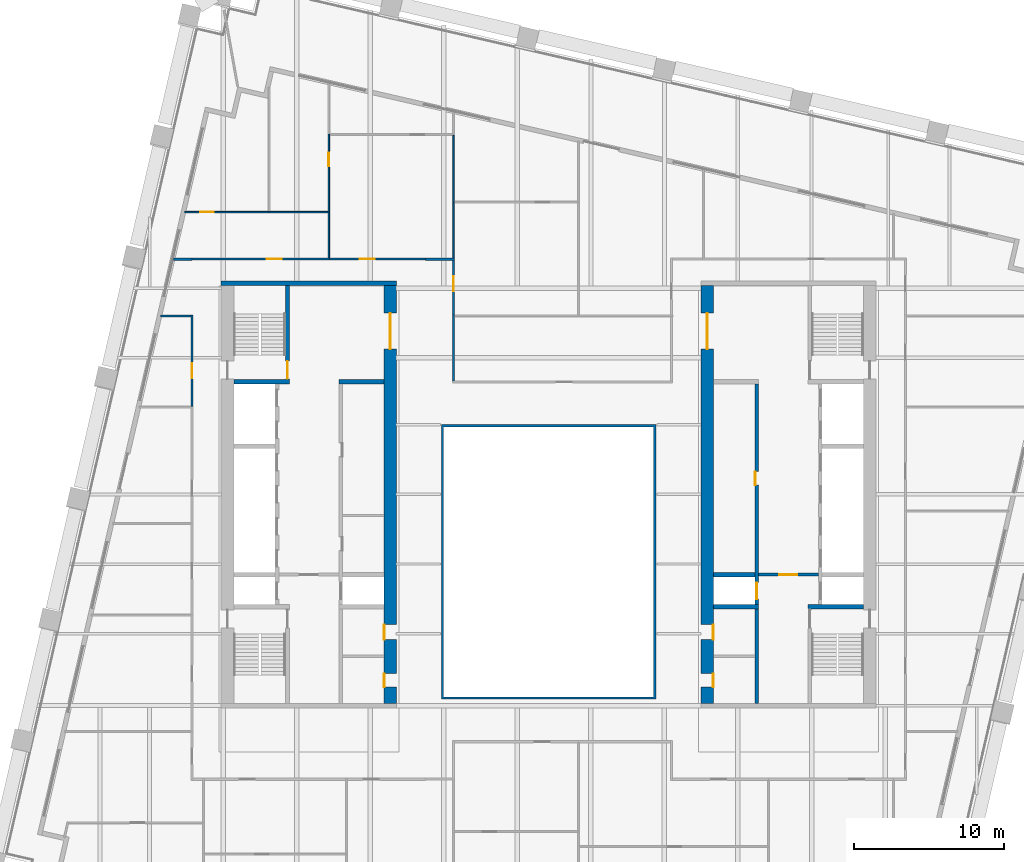
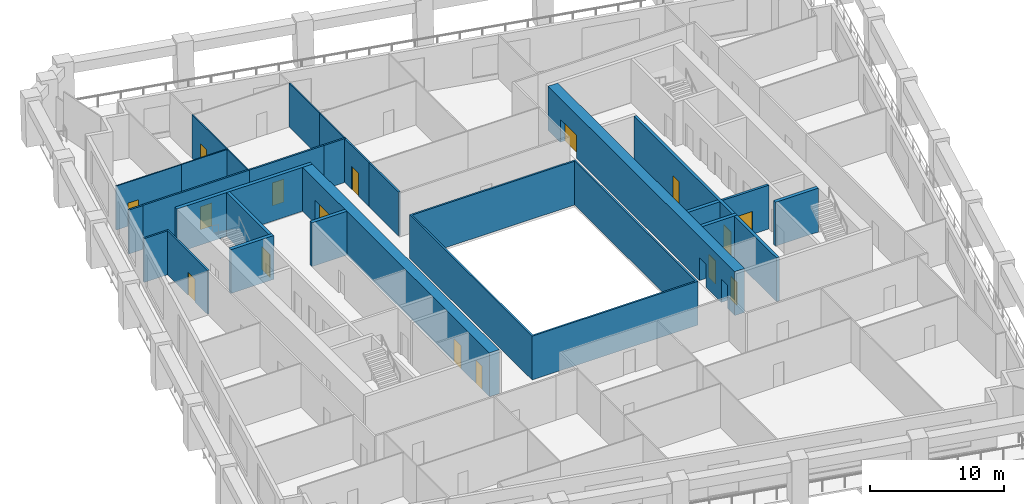
# One storey, part 7 of 11: 26 walls, 16 doors, 16 openings.
"""IFC4 building model written with IfcOpenShell, lengths in metres."""

from ifc_helpers import new_model, si_unit, direction, frame, frame_2d, origin, place, context, subcontext, project, spatial, polyline, rectangle, outline, extrude, material, layer, layer_set, type_object, element, fill, save


model = new_model("IFC4")

# Units and contexts
model_context = context("Model", 3, precision=1e-05, world=origin(), true_north=direction((0.0, 1.0)))
body_context = subcontext(model_context, "Body", "Model", "MODEL_VIEW")
ifc_project = project(units=[si_unit("LENGTHUNIT", "METRE"), si_unit("AREAUNIT", "SQUARE_METRE"), si_unit("VOLUMEUNIT", "CUBIC_METRE"), si_unit("PLANEANGLEUNIT", "RADIAN"), si_unit("MASSUNIT", "GRAM", prefix="KILO")], contexts=[model_context])

# Site, building, storey
site_placement = place(None, origin())
site = spatial("IfcSite", under=ifc_project, at=site_placement, CompositionType="ELEMENT")
building_placement = place(site_placement, origin())
building = spatial("IfcBuilding", under=site, at=building_placement, Name="Ogive Exchange Tower", CompositionType="ELEMENT")
storey_placement = place(building_placement, frame((0.0, 0.0, 135.0)))
storey = spatial("IfcBuildingStorey", under=building, at=storey_placement, Name="L29", CompositionType="ELEMENT", Elevation=135.0)

# Walls
ifc_material_1 = material(Name="Gypsum board partition")
ifc_layer_1 = layer(ifc_material_1, 0.300048828125)
ifc_layer_set_1 = layer_set([ifc_layer_1], Name="Core room partition 300 gypsum")
wall_type_1 = type_object("IfcWallType", Name="Core room partition 300 gypsum", PredefinedType="PARTITIONING", material=ifc_layer_set_1)
wall_1_placement = place(storey_placement, frame((-14.0, 19.0, 0.0), z_axis=(0.0, 0.0, 1.0), x_axis=(1.0, 0.0, 0.0)))
element("IfcWall", 1, at=wall_1_placement, inside=storey, type_object=wall_type_1, Name="W row B room end wall 7", PredefinedType="PARTITIONING", context=body_context, shape_type="SweptSolid", body=[
    extrude(rectangle(XDim=3.0, YDim=0.300048828125, at=frame_2d((1.5, 0.0))), origin(), (0.0, 0.0, 1.0), 4.0),
])
ifc_material_2 = material(Name="Fire partition EI 60 150")
ifc_layer_2 = layer(ifc_material_2, 0.14990234375)
ifc_layer_set_2 = layer_set([ifc_layer_2], Name="Fire partition EI 60 150")
wall_type_2 = type_object("IfcWallType", Name="Fire partition EI 60 150", PredefinedType="PARTITIONING", material=ifc_layer_set_2)
wall_2_placement = place(storey_placement, frame((-25.01708984375, 27.18994140625, 0.0), z_axis=(0.0, 0.0, 1.0), x_axis=(1.0, 0.0, 0.0)))
element("IfcWall", 2, at=wall_2_placement, inside=storey, type_object=wall_type_2, Name="L29-PWL-002", PredefinedType="PARTITIONING", context=body_context, shape_type="SweptSolid", body=[
    extrude(rectangle(XDim=1.217041015625, YDim=0.14990234375, at=frame_2d((0.6083984375, 0.0))), origin(), (0.0, 0.0, 1.0), 4.0),
])

# Wall, opening, door
wall_3_placement = place(storey_placement, frame((-23.800048828125, 17.3701171875, 0.0), z_axis=(0.0, 0.0, 1.0), x_axis=(0.0, 1.0, 0.0)))
wall_3 = element("IfcWall", 3, at=wall_3_placement, inside=storey, type_object=wall_type_2, Name="L29-PWL-011", PredefinedType="PARTITIONING", context=body_context, shape_type="SweptSolid", body=[
    extrude(rectangle(XDim=6.114990234375, YDim=0.14990234375, at=frame_2d((3.0576171875, 0.0))), origin(), (0.0, 0.0, 1.0), 4.0),
])
opening_1_placement = place(wall_3_placement, frame((1.889892578125, 0.0, 0.0)))
opening_1 = element("IfcOpeningElement", 4, at=opening_1_placement, cuts=wall_3, Name="Opening L29-I23", PredefinedType="OPENING", context=body_context, shape_type="SweptSolid", body=[
    extrude(rectangle(XDim=1.0, YDim=2.10009765625, at=frame_2d((0.5, 1.050048828125))), frame((0.0, 0.0849609375, 0.0), z_axis=(0.0, -1.0, 0.0), x_axis=(1.0, 0.0, 0.0)), (0.0, 0.0, 1.0), 0.169921875),
])
ifc_material_3 = material(Name="Fire door FD 30S 1000 x 2100")
door_type_1 = type_object("IfcDoorType", Name="Fire door FD 30S 1000 x 2100", OperationType="NOTDEFINED", PredefinedType="DOOR", material=ifc_material_3)
door_1_placement = place(opening_1_placement, origin())
door_1 = element("IfcDoor", 5, at=door_1_placement, inside=storey, type_object=door_type_1, Name="L29-IDR-023", ObjectType="DT3", OperationType="SINGLE_SWING_RIGHT", OverallHeight=2.10009765625, OverallWidth=1.0, PredefinedType="DOOR", context=body_context, shape_type="SweptSolid", body=[
    extrude(rectangle(XDim=1.0, YDim=2.10009765625, at=frame_2d((0.5, 1.050048828125))), frame((0.0, 0.02490234375, 0.0), z_axis=(0.0, -1.0, 0.0), x_axis=(1.0, 0.0, 0.0)), (0.0, 0.0, 1.0), 0.050048828125),
])
fill(opening_1, door_1)

# Wall
wall_4_placement = place(storey_placement, frame((-23.875, 23.409912109375, 0.0), z_axis=(0.0, 0.0, 1.0), x_axis=(-1.0, 0.0, 0.0)))
element("IfcWall", 6, at=wall_4_placement, inside=storey, type_object=wall_type_2, Name="L29-PWL-012", PredefinedType="PARTITIONING", context=body_context, shape_type="SweptSolid", body=[
    extrude(rectangle(XDim=2.014892578125, YDim=0.14990234375, at=frame_2d((1.00732421875, 0.0))), origin(), (0.0, 0.0, 1.0), 4.0),
])

# Wall, opening, door
wall_5_placement = place(storey_placement, frame((-23.800048828125, 27.199951171875, 0.0), z_axis=(0.0, 0.0, 1.0), x_axis=(1.0, 0.0, 0.0)))
wall_5 = element("IfcWall", 7, at=wall_5_placement, inside=storey, type_object=wall_type_2, Name="L29-PWL-013", PredefinedType="PARTITIONING", context=body_context, shape_type="SweptSolid", body=[
    extrude(rectangle(XDim=9.179931640625, YDim=0.14990234375, at=frame_2d((4.58984375, 0.0))), origin(), (0.0, 0.0, 1.0), 4.0),
])
opening_2_placement = place(wall_5_placement, frame((4.97998046875, 0.0, 0.0)))
opening_2 = element("IfcOpeningElement", 8, at=opening_2_placement, cuts=wall_5, Name="Opening L29-I22", PredefinedType="OPENING", context=body_context, shape_type="SweptSolid", body=[
    extrude(rectangle(XDim=1.0, YDim=2.10009765625, at=frame_2d((0.5, 1.050048828125))), frame((0.0, 0.0849609375, 0.0), z_axis=(0.0, -1.0, 0.0), x_axis=(1.0, 0.0, 0.0)), (0.0, 0.0, 1.0), 0.169921875),
])
door_2_placement = place(opening_2_placement, origin())
door_2 = element("IfcDoor", 9, at=door_2_placement, inside=storey, type_object=door_type_1, Name="L29-IDR-022", ObjectType="DT3", OperationType="SINGLE_SWING_LEFT", OverallHeight=2.10009765625, OverallWidth=1.0, PredefinedType="DOOR", context=body_context, shape_type="SweptSolid", body=[
    extrude(rectangle(XDim=1.0, YDim=2.10009765625, at=frame_2d((0.5, 1.050048828125))), frame((0.0, 0.02490234375, 0.0), z_axis=(0.0, -1.0, 0.0), x_axis=(1.0, 0.0, 0.0)), (0.0, 0.0, 1.0), 0.050048828125),
])
fill(opening_2, door_2)

wall_6_placement = place(storey_placement, frame((-14.6201171875, 27.199951171875, 0.0), z_axis=(0.0, 0.0, 1.0), x_axis=(1.0, 0.0, 0.0)))
wall_6 = element("IfcWall", 10, at=wall_6_placement, inside=storey, type_object=wall_type_2, Name="L29-PWL-026", PredefinedType="PARTITIONING", context=body_context, shape_type="SweptSolid", body=[
    extrude(rectangle(XDim=6.420166015625, YDim=0.14990234375, at=frame_2d((3.2099609375, 0.0))), origin(), (0.0, 0.0, 1.0), 4.0),
])
opening_3_placement = place(wall_6_placement, frame((2.02001953125, 0.0, 0.0)))
opening_3 = element("IfcOpeningElement", 11, at=opening_3_placement, cuts=wall_6, Name="Opening L29-I18", PredefinedType="OPENING", context=body_context, shape_type="SweptSolid", body=[
    extrude(rectangle(XDim=1.0, YDim=2.10009765625, at=frame_2d((0.5, 1.050048828125))), frame((0.0, 0.0849609375, 0.0), z_axis=(0.0, -1.0, 0.0), x_axis=(1.0, 0.0, 0.0)), (0.0, 0.0, 1.0), 0.169921875),
])
door_3_placement = place(opening_3_placement, origin())
door_3 = element("IfcDoor", 12, at=door_3_placement, inside=storey, type_object=door_type_1, Name="L29-IDR-018", ObjectType="DT3", OperationType="SINGLE_SWING_RIGHT", OverallHeight=2.10009765625, OverallWidth=1.0, PredefinedType="DOOR", context=body_context, shape_type="SweptSolid", body=[
    extrude(rectangle(XDim=1.0, YDim=2.10009765625, at=frame_2d((0.5, 1.050048828125))), frame((0.0, 0.02490234375, 0.0), z_axis=(0.0, -1.0, 0.0), x_axis=(1.0, 0.0, 0.0)), (0.0, 0.0, 1.0), 0.050048828125),
])
fill(opening_3, door_3)

# Walls
wall_7_placement = place(storey_placement, frame((-8.199951171875, 27.18994140625, 0.0), z_axis=(0.0, 0.0, 1.0), x_axis=(1.0, 0.0, 0.0)))
element("IfcWall", 13, at=wall_7_placement, inside=storey, type_object=wall_type_2, Name="L29-PWL-036", PredefinedType="PARTITIONING", context=body_context, shape_type="SweptSolid", body=[
    extrude(rectangle(XDim=1.93505859375, YDim=0.14990234375, at=frame_2d((0.967529296875, 0.0))), origin(), (0.0, 0.0, 1.0), 4.0),
])
wall_8_placement = place(storey_placement, frame((-6.340087890625, 23.4599609375, 0.0), z_axis=(0.0, 0.0, 1.0), x_axis=(0.0, -1.0, 0.0)))
element("IfcWall", 14, at=wall_8_placement, inside=storey, type_object=wall_type_2, Name="L29-PWL-044", PredefinedType="PARTITIONING", context=body_context, shape_type="SweptSolid", body=[
    extrude(rectangle(XDim=4.385009765625, YDim=0.14990234375, at=frame_2d((2.1923828125, 0.0))), origin(), (0.0, 0.0, 1.0), 4.0),
])

# Wall, opening, door
wall_9_placement = place(storey_placement, frame((-6.340087890625, 27.114990234375, 0.0), z_axis=(0.0, 0.0, 1.0), x_axis=(0.0, -1.0, 0.0)))
wall_9 = element("IfcWall", 15, at=wall_9_placement, inside=storey, type_object=wall_type_2, Name="L29-PWL-046", PredefinedType="PARTITIONING", context=body_context, shape_type="SweptSolid", body=[
    extrude(rectangle(XDim=3.655029296875, YDim=0.14990234375, at=frame_2d((1.82763671875, 0.0))), origin(), (0.0, 0.0, 1.0), 4.0),
])
opening_4_placement = place(wall_9_placement, frame((1.054931640625, 0.0, 0.0)))
opening_4 = element("IfcOpeningElement", 16, at=opening_4_placement, cuts=wall_9, Name="Opening L29-I14", PredefinedType="OPENING", context=body_context, shape_type="SweptSolid", body=[
    extrude(rectangle(XDim=1.0, YDim=2.10009765625, at=frame_2d((0.5, 1.050048828125))), frame((0.0, 0.0849609375, 0.0), z_axis=(0.0, -1.0, 0.0), x_axis=(1.0, 0.0, 0.0)), (0.0, 0.0, 1.0), 0.169921875),
])
door_4_placement = place(opening_4_placement, origin())
door_4 = element("IfcDoor", 17, at=door_4_placement, inside=storey, type_object=door_type_1, Name="L29-IDR-014", ObjectType="DT3", OperationType="SINGLE_SWING_LEFT", OverallHeight=2.10009765625, OverallWidth=1.0, PredefinedType="DOOR", context=body_context, shape_type="SweptSolid", body=[
    extrude(rectangle(XDim=1.0, YDim=2.10009765625, at=frame_2d((0.5, 1.050048828125))), frame((0.0, 0.02490234375, 0.0), z_axis=(0.0, -1.0, 0.0), x_axis=(1.0, 0.0, 0.0)), (0.0, 0.0, 1.0), 0.050048828125),
])
fill(opening_4, door_4)

# Wall
ifc_material_4 = material(Name="Fire-resisting glass in steel frame", Category="steel")
ifc_layer_3 = layer(ifc_material_4, 0.14990234375)
ifc_layer_set_3 = layer_set([ifc_layer_3], Name="Fire-rated glazed wall 150")
wall_type_3 = type_object("IfcWallType", Name="Fire-rated glazed wall 150", PredefinedType="STANDARD", material=ifc_layer_set_3)
wall_10_placement = place(storey_placement, origin())
element("IfcWall", 18, at=wall_10_placement, inside=storey, type_object=wall_type_3, Name="Nave enclosure wall", PredefinedType="STANDARD", context=body_context, shape_type="SweptSolid", body=[
    extrude(outline(polyline([(-7.14990234375, -2.14990234375), (7.14990234375, -2.14990234375), (7.14990234375, 16.14990234375), (-7.14990234375, 16.14990234375), (-7.14990234375, -2.14990234375)]), holes=[polyline([(-7.0, -2.0), (-7.0, 16.0), (7.0, 16.0), (7.0, -2.0), (-7.0, -2.0)])]), origin(), (0.0, 0.0, 1.0), 4.0),
])

# Wall, opening, door
ifc_material_5 = material(Name="Partition 100 gypsum")
ifc_layer_4 = layer(ifc_material_5, 0.10009765625)
ifc_layer_set_4 = layer_set([ifc_layer_4], Name="Partition 100 gypsum")
wall_type_4 = type_object("IfcWallType", Name="Partition 100 gypsum", PredefinedType="PARTITIONING", material=ifc_layer_set_4)
wall_11_placement = place(storey_placement, frame((-18.60009765625, 30.340087890625, 0.0), z_axis=(0.0, 0.0, 1.0), x_axis=(-1.0, 0.0, 0.0)))
wall_11 = element("IfcWall", 19, at=wall_11_placement, inside=storey, type_object=wall_type_4, Name="L29-PWL-023", PredefinedType="PARTITIONING", context=body_context, shape_type="SweptSolid", body=[
    extrude(rectangle(XDim=5.68994140625, YDim=0.10009765625, at=frame_2d((2.844970703125, 0.0))), origin(), (0.0, 0.0, 1.0), 4.0),
])
opening_5_placement = place(wall_11_placement, frame((3.75, 0.0, 0.0)))
opening_5 = element("IfcOpeningElement", 20, at=opening_5_placement, cuts=wall_11, Name="Opening L29-I21", PredefinedType="OPENING", context=body_context, shape_type="SweptSolid", body=[
    extrude(rectangle(XDim=0.89990234375, YDim=2.10009765625, at=frame_2d((0.449951171875, 1.050048828125))), frame((0.0, 0.06005859375, 0.0), z_axis=(0.0, -1.0, 0.0), x_axis=(1.0, 0.0, 0.0)), (0.0, 0.0, 1.0), 0.1201171875),
])
ifc_material_6 = material(Name="Door 900 x 2100")
door_type_2 = type_object("IfcDoorType", Name="Door 900 x 2100", OperationType="NOTDEFINED", PredefinedType="DOOR", material=ifc_material_6)
door_5_placement = place(opening_5_placement, origin())
door_5 = element("IfcDoor", 21, at=door_5_placement, inside=storey, type_object=door_type_2, Name="L29-IDR-021", ObjectType="DT1", OperationType="SINGLE_SWING_LEFT", OverallHeight=2.10009765625, OverallWidth=0.89990234375, PredefinedType="DOOR", context=body_context, shape_type="SweptSolid", body=[
    extrude(rectangle(XDim=0.89990234375, YDim=2.10009765625, at=frame_2d((0.449951171875, 1.050048828125))), frame((0.0, 0.02490234375, 0.0), z_axis=(0.0, -1.0, 0.0), x_axis=(1.0, 0.0, 0.0)), (0.0, 0.0, 1.0), 0.050048828125),
])
fill(opening_5, door_5)

# Walls
wall_12_placement = place(storey_placement, frame((-14.669921875, 27.27490234375, 0.0), z_axis=(0.0, 0.0, 1.0), x_axis=(0.0, 1.0, 0.0)))
element("IfcWall", 22, at=wall_12_placement, inside=storey, type_object=wall_type_4, Name="L29-PWL-025", PredefinedType="PARTITIONING", context=body_context, shape_type="SweptSolid", body=[
    extrude(rectangle(XDim=3.065185546875, YDim=0.10009765625, at=frame_2d((1.53271484375, 0.0))), origin(), (0.0, 0.0, 1.0), 4.0),
])
wall_13_placement = place(storey_placement, frame((-14.719970703125, 30.340087890625, 0.0), z_axis=(0.0, 0.0, 1.0), x_axis=(-1.0, 0.0, 0.0)))
element("IfcWall", 23, at=wall_13_placement, inside=storey, type_object=wall_type_4, Name="L29-PWL-027", PredefinedType="PARTITIONING", context=body_context, shape_type="SweptSolid", body=[
    extrude(rectangle(XDim=3.929931640625, YDim=0.10009765625, at=frame_2d((1.96484375, 0.0))), origin(), (0.0, 0.0, 1.0), 4.0),
])

# Wall, opening, door
wall_14_placement = place(storey_placement, frame((-14.669921875, 30.340087890625, 0.0), z_axis=(0.0, 0.0, 1.0), x_axis=(0.0, 1.0, 0.0)))
wall_14 = element("IfcWall", 24, at=wall_14_placement, inside=storey, type_object=wall_type_4, Name="L29-PWL-028", PredefinedType="PARTITIONING", context=body_context, shape_type="SweptSolid", body=[
    extrude(rectangle(XDim=5.2099609375, YDim=0.10009765625, at=frame_2d((2.60498046875, 0.0))), origin(), (0.0, 0.0, 1.0), 4.0),
])
opening_6_placement = place(wall_14_placement, frame((3.06005859375, 0.0, 0.0)))
opening_6 = element("IfcOpeningElement", 25, at=opening_6_placement, cuts=wall_14, Name="Opening L29-I20", PredefinedType="OPENING", context=body_context, shape_type="SweptSolid", body=[
    extrude(rectangle(XDim=0.89990234375, YDim=2.10009765625, at=frame_2d((0.449951171875, 1.050048828125))), frame((0.0, 0.06005859375, 0.0), z_axis=(0.0, -1.0, 0.0), x_axis=(1.0, 0.0, 0.0)), (0.0, 0.0, 1.0), 0.1201171875),
])
door_6_placement = place(opening_6_placement, origin())
door_6 = element("IfcDoor", 26, at=door_6_placement, inside=storey, type_object=door_type_2, Name="L29-IDR-020", ObjectType="DT1", OperationType="SINGLE_SWING_RIGHT", OverallHeight=2.10009765625, OverallWidth=0.89990234375, PredefinedType="DOOR", context=body_context, shape_type="SweptSolid", body=[
    extrude(rectangle(XDim=0.89990234375, YDim=2.10009765625, at=frame_2d((0.449951171875, 1.050048828125))), frame((0.0, 0.02490234375, 0.0), z_axis=(0.0, -1.0, 0.0), x_axis=(1.0, 0.0, 0.0)), (0.0, 0.0, 1.0), 0.050048828125),
])
fill(opening_6, door_6)

# Walls
wall_15_placement = place(storey_placement, frame((-6.340087890625, 27.264892578125, 0.0), z_axis=(0.0, 0.0, 1.0), x_axis=(0.0, 1.0, 0.0)))
element("IfcWall", 27, at=wall_15_placement, inside=storey, type_object=wall_type_4, Name="L29-PWL-047", PredefinedType="PARTITIONING", context=body_context, shape_type="SweptSolid", body=[
    extrude(rectangle(XDim=3.68505859375, YDim=0.10009765625, at=frame_2d((1.842529296875, 0.0))), origin(), (0.0, 0.0, 1.0), 4.0),
])
wall_16_placement = place(storey_placement, frame((-6.340087890625, 30.949951171875, 0.0), z_axis=(0.0, 0.0, 1.0), x_axis=(0.0, 1.0, 0.0)))
element("IfcWall", 28, at=wall_16_placement, inside=storey, type_object=wall_type_4, Name="L29-PWL-048", PredefinedType="PARTITIONING", context=body_context, shape_type="SweptSolid", body=[
    extrude(rectangle(XDim=4.5, YDim=0.10009765625, at=frame_2d((2.25, 0.0))), origin(), (0.0, 0.0, 1.0), 4.0),
])

# Wall, opening, door
ifc_material_7 = material(Name="Concrete C70/85", Category="concrete")
ifc_layer_5 = layer(ifc_material_7, 0.199951171875)
ifc_layer_set_5 = layer_set([ifc_layer_5], Name="RC core wall 200 C70/85")
wall_type_5 = type_object("IfcWallType", Name="RC core wall 200 C70/85", PredefinedType="SHEAR", material=ifc_layer_set_5)
wall_17_placement = place(storey_placement, frame((14.0, 6.142822265625, 0.0), z_axis=(0.0, 0.0, 1.0), x_axis=(1.0, 0.0, 0.0)))
wall_17 = element("IfcWall", 29, at=wall_17_placement, inside=storey, type_object=wall_type_5, Name="E firefighting lobby wall", PredefinedType="SHEAR", context=body_context, shape_type="SweptSolid", body=[
    extrude(rectangle(XDim=4.0, YDim=0.199951171875, at=frame_2d((2.0, 0.0))), origin(), (0.0, 0.0, 1.0), 4.0),
])
opening_7_placement = place(wall_17_placement, frame((1.39990234375, 0.0, 0.0)))
opening_7 = element("IfcOpeningElement", 30, at=opening_7_placement, cuts=wall_17, Name="Opening L29-C28", PredefinedType="OPENING", context=body_context, shape_type="SweptSolid", body=[
    extrude(rectangle(XDim=1.199951171875, YDim=2.10009765625, at=frame_2d((0.60009765625, 1.050048828125))), frame((0.0, 0.10986328125, 0.0), z_axis=(0.0, -1.0, 0.0), x_axis=(1.0, 0.0, 0.0)), (0.0, 0.0, 1.0), 0.219970703125),
])
ifc_material_8 = material(Name="Steel fire door", Category="steel")
door_type_3 = type_object("IfcDoorType", Name="Firefighting lobby door FD60 1200 x 2100", OperationType="NOTDEFINED", PredefinedType="DOOR", material=ifc_material_8)
door_7_placement = place(opening_7_placement, frame((1.199951171875, 0.0, 0.0), z_axis=(0.0, 0.0, 1.0), x_axis=(-1.0, 0.0, 0.0)))
door_7 = element("IfcDoor", 31, at=door_7_placement, inside=storey, type_object=door_type_3, Name="Firefighting lobby door", ObjectType="CD3", OperationType="SINGLE_SWING_RIGHT", OverallHeight=2.10009765625, OverallWidth=1.199951171875, PredefinedType="DOOR", context=body_context, shape_type="SweptSolid", body=[
    extrude(rectangle(XDim=1.199951171875, YDim=2.10009765625, at=frame_2d((0.60009765625, 1.050048828125))), frame((0.0, 0.02490234375, 0.0), z_axis=(0.0, -1.0, 0.0), x_axis=(1.0, 0.0, 0.0)), (0.0, 0.0, 1.0), 0.050048828125),
])
fill(opening_7, door_7)

ifc_layer_6 = layer(ifc_material_7, 0.25)
ifc_layer_set_6 = layer_set([ifc_layer_6], Name="RC core wall 250 C70/85")
wall_type_6 = type_object("IfcWallType", Name="RC core wall 250 C70/85", PredefinedType="SHEAR", material=ifc_layer_set_6)
wall_18_placement = place(storey_placement, frame((-17.425048828125, 19.14990234375, 0.0), z_axis=(0.0, 0.0, 1.0), x_axis=(0.0, 1.0, 0.0)))
wall_18 = element("IfcWall", 32, at=wall_18_placement, inside=storey, type_object=wall_type_6, Name="W stair N front wall", PredefinedType="SHEAR", context=body_context, shape_type="SweptSolid", body=[
    extrude(rectangle(XDim=6.300048828125, YDim=0.25, at=frame_2d((3.14990234375, 0.0))), origin(), (0.0, 0.0, 1.0), 4.0),
])
opening_8_placement = place(wall_18_placement, frame((0.050048828125, 0.0, 0.0)))
opening_8 = element("IfcOpeningElement", 33, at=opening_8_placement, cuts=wall_18, Name="Opening L29-C15", PredefinedType="OPENING", context=body_context, shape_type="SweptSolid", body=[
    extrude(rectangle(XDim=1.199951171875, YDim=2.10009765625, at=frame_2d((0.60009765625, 1.050048828125))), frame((0.0, 0.135009765625, 0.0), z_axis=(0.0, -1.0, 0.0), x_axis=(1.0, 0.0, 0.0)), (0.0, 0.0, 1.0), 0.27001953125),
])
door_type_4 = type_object("IfcDoorType", Name="Stair door FD90 1200 x 2100", OperationType="NOTDEFINED", PredefinedType="DOOR", material=ifc_material_8)
door_8_placement = place(opening_8_placement, origin())
door_8 = element("IfcDoor", 34, at=door_8_placement, inside=storey, type_object=door_type_4, Name="Stair door", ObjectType="CD5", OperationType="SINGLE_SWING_RIGHT", OverallHeight=2.10009765625, OverallWidth=1.199951171875, PredefinedType="DOOR", context=body_context, shape_type="SweptSolid", body=[
    extrude(rectangle(XDim=1.199951171875, YDim=2.10009765625, at=frame_2d((0.60009765625, 1.050048828125))), frame((0.0, 0.02490234375, 0.0), z_axis=(0.0, -1.0, 0.0), x_axis=(1.0, 0.0, 0.0)), (0.0, 0.0, 1.0), 0.050048828125),
])
fill(opening_8, door_8)

# Wall, openings, doors
wall_19_placement = place(storey_placement, frame((13.875, -2.449951171875, 0.0), z_axis=(0.0, 0.0, 1.0), x_axis=(0.0, 1.0, 0.0)))
wall_19 = element("IfcWall", 35, at=wall_19_placement, inside=storey, type_object=wall_type_6, Name="E row B front wall", PredefinedType="SHEAR", context=body_context, shape_type="SweptSolid", body=[
    extrude(rectangle(XDim=21.300048828125, YDim=0.25, at=frame_2d((10.64990234375, 0.0))), origin(), (0.0, 0.0, 1.0), 4.0),
])
opening_9_placement = place(wall_19_placement, frame((14.5712890625, 0.0, 0.0)))
opening_9 = element("IfcOpeningElement", 36, at=opening_9_placement, cuts=wall_19, Name="Opening L29-C26", PredefinedType="OPENING", context=body_context, shape_type="SweptSolid", body=[
    extrude(rectangle(XDim=0.89990234375, YDim=2.10009765625, at=frame_2d((0.449951171875, 1.050048828125))), frame((0.0, 0.135009765625, 0.0), z_axis=(0.0, -1.0, 0.0), x_axis=(1.0, 0.0, 0.0)), (0.0, 0.0, 1.0), 0.27001953125),
])
opening_10_placement = place(wall_19_placement, frame((6.971435546875, 0.0, 0.0)))
opening_10 = element("IfcOpeningElement", 37, at=opening_10_placement, cuts=wall_19, Name="Opening L29-C27", PredefinedType="OPENING", context=body_context, shape_type="SweptSolid", body=[
    extrude(rectangle(XDim=1.10009765625, YDim=2.10009765625, at=frame_2d((0.550048828125, 1.050048828125))), frame((0.0, 0.135009765625, 0.0), z_axis=(0.0, -1.0, 0.0), x_axis=(1.0, 0.0, 0.0)), (0.0, 0.0, 1.0), 0.27001953125),
])
ifc_material_9 = material(Name="Stainless steel", Category="steel")
door_type_5 = type_object("IfcDoorType", Name="Lift landing door FD90 1100 x 2100", OperationType="SLIDING_TO_LEFT", PredefinedType="DOOR", material=ifc_material_9)
door_9_placement = place(opening_10_placement, origin())
door_9 = element("IfcDoor", 38, at=door_9_placement, inside=storey, type_object=door_type_5, Name="Lift landing door SV2", ObjectType="LD", OperationType="SLIDING_TO_LEFT", OverallHeight=2.10009765625, OverallWidth=1.10009765625, PredefinedType="DOOR", context=body_context, shape_type="SweptSolid", body=[
    extrude(rectangle(XDim=1.10009765625, YDim=2.10009765625, at=frame_2d((0.550048828125, 1.050048828125))), frame((0.0, 0.02490234375, 0.0), z_axis=(0.0, -1.0, 0.0), x_axis=(1.0, 0.0, 0.0)), (0.0, 0.0, 1.0), 0.050048828125),
])
fill(opening_10, door_9)
door_type_6 = type_object("IfcDoorType", Name="Riser door FD60 900 x 2100", OperationType="NOTDEFINED", PredefinedType="DOOR", material=ifc_material_8)
door_10_placement = place(opening_9_placement, origin())
door_10 = element("IfcDoor", 39, at=door_10_placement, inside=storey, type_object=door_type_6, Name="Riser door", ObjectType="CD2", OperationType="SINGLE_SWING_RIGHT", OverallHeight=2.10009765625, OverallWidth=0.89990234375, PredefinedType="DOOR", context=body_context, shape_type="SweptSolid", body=[
    extrude(rectangle(XDim=0.89990234375, YDim=2.10009765625, at=frame_2d((0.449951171875, 1.050048828125))), frame((0.0, 0.125, 0.0), z_axis=(0.0, -1.0, 0.0), x_axis=(1.0, 0.0, 0.0)), (0.0, 0.0, 1.0), 0.050048828125),
])
fill(opening_9, door_10)

# Walls
ifc_layer_7 = layer(ifc_material_7, 0.300048828125)
ifc_layer_set_7 = layer_set([ifc_layer_7], Name="RC core wall 300 C70/85")
wall_type_7 = type_object("IfcWallType", Name="RC core wall 300 C70/85", PredefinedType="SHEAR", material=ifc_layer_set_7)
wall_20_placement = place(storey_placement, frame((-21.85009765625, 25.60009765625, 0.0), z_axis=(0.0, 0.0, 1.0), x_axis=(1.0, 0.0, 0.0)))
element("IfcWall", 40, at=wall_20_placement, inside=storey, type_object=wall_type_7, Name="W north end wall", PredefinedType="SHEAR", context=body_context, shape_type="SweptSolid", body=[
    extrude(rectangle(XDim=11.7001953125, YDim=0.300048828125, at=frame_2d((5.85009765625, 0.0))), origin(), (0.0, 0.0, 1.0), 4.0),
])
for number, where, z_axis, x_axis, name in (
    (41, (-21.0, 19.0, 0.0), (0.0, 0.0, 1.0), (1.0, 0.0, 0.0), "W stair N south wall"),
    (42, (17.300048828125, 4.0, 0.0), (0.0, 0.0, 1.0), (1.0, 0.0, 0.0), "E stair S north wall"),
):
    element("IfcWall", number, at=place(storey_placement, frame(where, z_axis=z_axis, x_axis=x_axis)), inside=storey, type_object=wall_type_7, Name=name, PredefinedType="SHEAR", context=body_context, shape_type="SweptSolid", body=[
        extrude(rectangle(XDim=3.699951171875, YDim=0.300048828125, at=frame_2d((1.85009765625, 0.0))), origin(), (0.0, 0.0, 1.0), 4.0),
    ])
wall_21_placement = place(storey_placement, frame((11.0, 4.0, 0.0), z_axis=(0.0, 0.0, 1.0), x_axis=(1.0, 0.0, 0.0)))
element("IfcWall", 43, at=wall_21_placement, inside=storey, type_object=wall_type_7, Name="E row B divider 0", PredefinedType="SHEAR", context=body_context, shape_type="SweptSolid", body=[
    extrude(rectangle(XDim=3.0, YDim=0.300048828125, at=frame_2d((1.5, 0.0))), origin(), (0.0, 0.0, 1.0), 4.0),
])
wall_22_placement = place(storey_placement, frame((11.0, 6.142822265625, 0.0), z_axis=(0.0, 0.0, 1.0), x_axis=(1.0, 0.0, 0.0)))
element("IfcWall", 44, at=wall_22_placement, inside=storey, type_object=wall_type_7, Name="E row B divider 1", PredefinedType="SHEAR", context=body_context, shape_type="SweptSolid", body=[
    extrude(rectangle(XDim=2.75, YDim=0.300048828125, at=frame_2d((1.375, 0.0))), origin(), (0.0, 0.0, 1.0), 4.0),
])

# Wall, openings, doors
ifc_layer_8 = layer(ifc_material_7, 0.85009765625)
ifc_layer_set_8 = layer_set([ifc_layer_8], Name="RC core wall 850 C70/85")
wall_type_8 = type_object("IfcWallType", Name="RC core wall 850 C70/85", PredefinedType="SHEAR", material=ifc_layer_set_8)
wall_23_placement = place(storey_placement, frame((-10.574951171875, -2.449951171875, 0.0), z_axis=(0.0, 0.0, 1.0), x_axis=(0.0, 1.0, 0.0)))
wall_23 = element("IfcWall", 45, at=wall_23_placement, inside=storey, type_object=wall_type_8, Name="W inner wall", PredefinedType="SHEAR", context=body_context, shape_type="SweptSolid", body=[
    extrude(rectangle(XDim=27.89990234375, YDim=0.85009765625, at=frame_2d((13.949951171875, 0.0))), origin(), (0.0, 0.0, 1.0), 4.0),
])
opening_11_placement = place(wall_23_placement, frame((23.64990234375, 0.0, 0.0)))
opening_11 = element("IfcOpeningElement", 46, at=opening_11_placement, cuts=wall_23, Name="Opening L29-C12", PredefinedType="OPENING", context=body_context, shape_type="SweptSolid", body=[
    extrude(rectangle(XDim=2.39990234375, YDim=2.10009765625, at=frame_2d((1.199951171875, 1.050048828125))), frame((0.0, 0.43505859375, 0.0), z_axis=(0.0, -1.0, 0.0), x_axis=(1.0, 0.0, 0.0)), (0.0, 0.0, 1.0), 0.8701171875),
])
opening_12_placement = place(wall_23_placement, frame((1.08740234375, 0.0, 0.0)))
opening_12 = element("IfcOpeningElement", 47, at=opening_12_placement, cuts=wall_23, Name="Opening L29-C17", PredefinedType="OPENING", context=body_context, shape_type="SweptSolid", body=[
    extrude(rectangle(XDim=0.89990234375, YDim=2.10009765625, at=frame_2d((0.449951171875, 1.050048828125))), frame((0.0, 0.43505859375, 0.0), z_axis=(0.0, -1.0, 0.0), x_axis=(1.0, 0.0, 0.0)), (0.0, 0.0, 1.0), 0.8701171875),
])
opening_13_placement = place(wall_23_placement, frame((4.262451171875, 0.0, 0.0)))
opening_13 = element("IfcOpeningElement", 48, at=opening_13_placement, cuts=wall_23, Name="Opening L29-C18", PredefinedType="OPENING", context=body_context, shape_type="SweptSolid", body=[
    extrude(rectangle(XDim=1.0, YDim=2.10009765625, at=frame_2d((0.5, 1.050048828125))), frame((0.0, 0.43505859375, 0.0), z_axis=(0.0, -1.0, 0.0), x_axis=(1.0, 0.0, 0.0)), (0.0, 0.0, 1.0), 0.8701171875),
])
ifc_material_10 = material(Name="Timber fire door", Category="wood")
door_type_7 = type_object("IfcDoorType", Name="Accessible WC door FD30S 1000 x 2100", OperationType="NOTDEFINED", PredefinedType="DOOR", material=ifc_material_10)
door_11_placement = place(opening_13_placement, origin())
door_11 = element("IfcDoor", 49, at=door_11_placement, inside=storey, type_object=door_type_7, Name="Accessible WC door", ObjectType="CD7", OperationType="SINGLE_SWING_RIGHT", OverallHeight=2.10009765625, OverallWidth=1.0, PredefinedType="DOOR", context=body_context, shape_type="SweptSolid", body=[
    extrude(rectangle(XDim=1.0, YDim=2.10009765625, at=frame_2d((0.5, 1.050048828125))), frame((0.0, 0.4248046875, 0.0), z_axis=(0.0, -1.0, 0.0), x_axis=(1.0, 0.0, 0.0)), (0.0, 0.0, 1.0), 0.050048828125),
])
fill(opening_13, door_11)
door_type_8 = type_object("IfcDoorType", Name="Core room door FD30S 900 x 2100", OperationType="NOTDEFINED", PredefinedType="DOOR", material=ifc_material_10)
door_12_placement = place(opening_12_placement, origin())
door_12 = element("IfcDoor", 50, at=door_12_placement, inside=storey, type_object=door_type_8, Name="Core room door", ObjectType="CD6", OperationType="SINGLE_SWING_LEFT", OverallHeight=2.10009765625, OverallWidth=0.89990234375, PredefinedType="DOOR", context=body_context, shape_type="SweptSolid", body=[
    extrude(rectangle(XDim=0.89990234375, YDim=2.10009765625, at=frame_2d((0.449951171875, 1.050048828125))), frame((0.0, 0.4248046875, 0.0), z_axis=(0.0, -1.0, 0.0), x_axis=(1.0, 0.0, 0.0)), (0.0, 0.0, 1.0), 0.050048828125),
])
fill(opening_12, door_12)
ifc_material_11 = material(Name="Glazed steel fire door", Category="steel")
door_type_9 = type_object("IfcDoorType", Name="Lift lobby double door FD60 2400 x 2100", OperationType="DOUBLE_DOOR_SINGLE_SWING", PredefinedType="DOOR", material=ifc_material_11)
door_13_placement = place(opening_11_placement, origin())
door_13 = element("IfcDoor", 51, at=door_13_placement, inside=storey, type_object=door_type_9, Name="Lift lobby double door", ObjectType="CD4", OperationType="DOUBLE_DOOR_SINGLE_SWING", OverallHeight=2.10009765625, OverallWidth=2.39990234375, PredefinedType="DOOR", context=body_context, shape_type="SweptSolid", body=[
    extrude(rectangle(XDim=2.39990234375, YDim=2.10009765625, at=frame_2d((1.199951171875, 1.050048828125))), frame((0.0, 0.02490234375, 0.0), z_axis=(0.0, -1.0, 0.0), x_axis=(1.0, 0.0, 0.0)), (0.0, 0.0, 1.0), 0.050048828125),
])
fill(opening_11, door_13)

wall_24_placement = place(storey_placement, frame((10.574951171875, -2.449951171875, 0.0), z_axis=(0.0, 0.0, 1.0), x_axis=(0.0, 1.0, 0.0)))
wall_24 = element("IfcWall", 52, at=wall_24_placement, inside=storey, type_object=wall_type_8, Name="E inner wall", PredefinedType="SHEAR", context=body_context, shape_type="SweptSolid", body=[
    extrude(rectangle(XDim=27.89990234375, YDim=0.85009765625, at=frame_2d((13.949951171875, 0.0))), origin(), (0.0, 0.0, 1.0), 4.0),
])
opening_14_placement = place(wall_24_placement, frame((23.64990234375, 0.0, 0.0)))
opening_14 = element("IfcOpeningElement", 53, at=opening_14_placement, cuts=wall_24, Name="Opening L29-C29", PredefinedType="OPENING", context=body_context, shape_type="SweptSolid", body=[
    extrude(rectangle(XDim=2.39990234375, YDim=2.10009765625, at=frame_2d((1.199951171875, 1.050048828125))), frame((0.0, 0.43505859375, 0.0), z_axis=(0.0, -1.0, 0.0), x_axis=(1.0, 0.0, 0.0)), (0.0, 0.0, 1.0), 0.8701171875),
])
opening_15_placement = place(wall_24_placement, frame((1.08740234375, 0.0, 0.0)))
opening_15 = element("IfcOpeningElement", 54, at=opening_15_placement, cuts=wall_24, Name="Opening L29-C34", PredefinedType="OPENING", context=body_context, shape_type="SweptSolid", body=[
    extrude(rectangle(XDim=0.89990234375, YDim=2.10009765625, at=frame_2d((0.449951171875, 1.050048828125))), frame((0.0, 0.43505859375, 0.0), z_axis=(0.0, -1.0, 0.0), x_axis=(1.0, 0.0, 0.0)), (0.0, 0.0, 1.0), 0.8701171875),
])
opening_16_placement = place(wall_24_placement, frame((4.262451171875, 0.0, 0.0)))
opening_16 = element("IfcOpeningElement", 55, at=opening_16_placement, cuts=wall_24, Name="Opening L29-C35", PredefinedType="OPENING", context=body_context, shape_type="SweptSolid", body=[
    extrude(rectangle(XDim=1.0, YDim=2.10009765625, at=frame_2d((0.5, 1.050048828125))), frame((0.0, 0.43505859375, 0.0), z_axis=(0.0, -1.0, 0.0), x_axis=(1.0, 0.0, 0.0)), (0.0, 0.0, 1.0), 0.8701171875),
])
door_14_placement = place(opening_16_placement, frame((1.0, -0.7998046875, 0.0), z_axis=(0.0, 0.0, 1.0), x_axis=(-1.0, 0.0, 0.0)))
door_14 = element("IfcDoor", 56, at=door_14_placement, inside=storey, type_object=door_type_7, Name="Accessible WC door", ObjectType="CD7", OperationType="SINGLE_SWING_RIGHT", OverallHeight=2.10009765625, OverallWidth=1.0, PredefinedType="DOOR", context=body_context, shape_type="SweptSolid", body=[
    extrude(rectangle(XDim=1.0, YDim=2.10009765625, at=frame_2d((0.5, 1.050048828125))), frame((0.0, -0.375, 0.0), z_axis=(0.0, -1.0, 0.0), x_axis=(1.0, 0.0, 0.0)), (0.0, 0.0, 1.0), 0.050048828125),
])
fill(opening_16, door_14)
door_15_placement = place(opening_15_placement, frame((0.89990234375, -0.7998046875, 0.0), z_axis=(0.0, 0.0, 1.0), x_axis=(-1.0, 0.0, 0.0)))
door_15 = element("IfcDoor", 57, at=door_15_placement, inside=storey, type_object=door_type_8, Name="Core room door", ObjectType="CD6", OperationType="SINGLE_SWING_RIGHT", OverallHeight=2.10009765625, OverallWidth=0.89990234375, PredefinedType="DOOR", context=body_context, shape_type="SweptSolid", body=[
    extrude(rectangle(XDim=0.89990234375, YDim=2.10009765625, at=frame_2d((0.449951171875, 1.050048828125))), frame((0.0, -0.375, 0.0), z_axis=(0.0, -1.0, 0.0), x_axis=(1.0, 0.0, 0.0)), (0.0, 0.0, 1.0), 0.050048828125),
])
fill(opening_15, door_15)
door_16_placement = place(opening_14_placement, frame((2.39990234375, 0.0, 0.0), z_axis=(0.0, 0.0, 1.0), x_axis=(-1.0, 0.0, 0.0)))
door_16 = element("IfcDoor", 58, at=door_16_placement, inside=storey, type_object=door_type_9, Name="Lift lobby double door", ObjectType="CD4", OperationType="DOUBLE_DOOR_SINGLE_SWING", OverallHeight=2.10009765625, OverallWidth=2.39990234375, PredefinedType="DOOR", context=body_context, shape_type="SweptSolid", body=[
    extrude(rectangle(XDim=2.39990234375, YDim=2.10009765625, at=frame_2d((1.199951171875, 1.050048828125))), frame((0.0, 0.02490234375, 0.0), z_axis=(0.0, -1.0, 0.0), x_axis=(1.0, 0.0, 0.0)), (0.0, 0.0, 1.0), 0.050048828125),
])
fill(opening_14, door_16)

save(model, "model.ifc")
